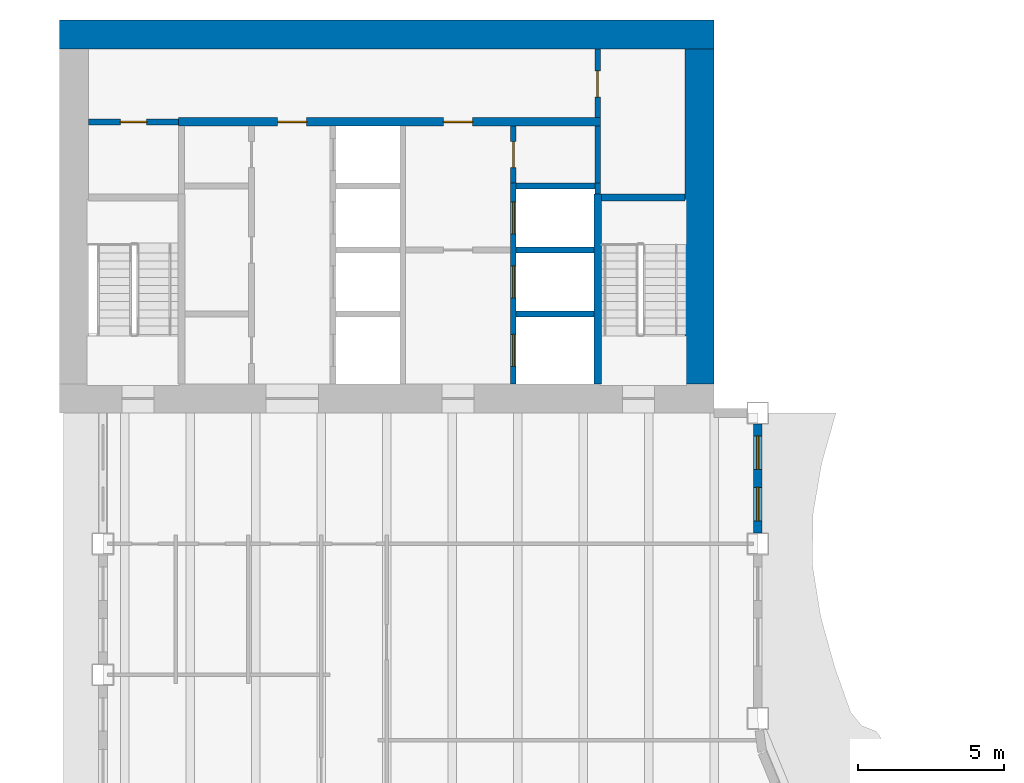
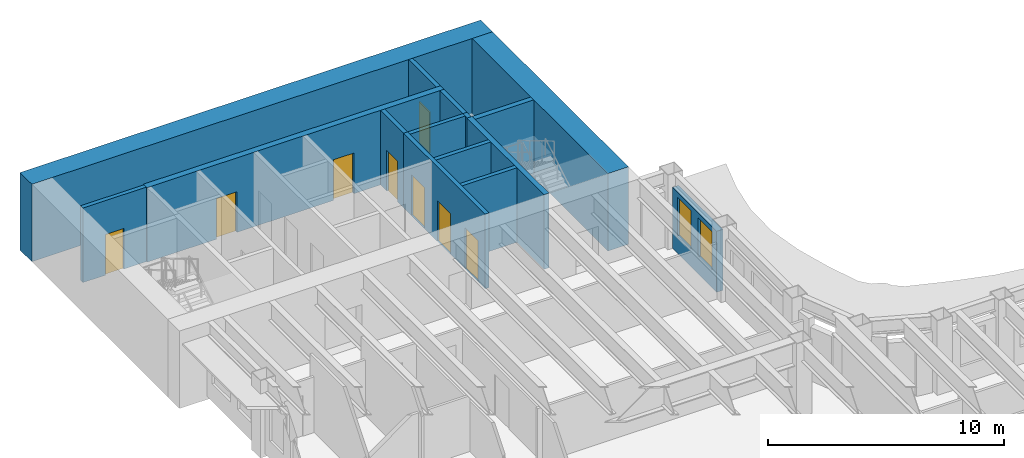
# One storey, part 10 of 17: 15 walls, 8 doors, 2 windows, 10 openings.
"""IFC4 building model written with IfcOpenShell, lengths in metres."""

from ifc_helpers import new_model, si_unit, direction, frame, frame_2d, origin, place, context, subcontext, project, spatial, rectangle, extrude, material, layer, layer_set, type_object, element, fill, save


model = new_model("IFC4")

# Units and contexts
model_context = context("Model", 3, precision=1e-05, world=origin(), true_north=direction((0.0, 1.0)))
body_context = subcontext(model_context, "Body", "Model", "MODEL_VIEW")
ifc_project = project(units=[si_unit("LENGTHUNIT", "METRE"), si_unit("AREAUNIT", "SQUARE_METRE"), si_unit("VOLUMEUNIT", "CUBIC_METRE"), si_unit("PLANEANGLEUNIT", "RADIAN"), si_unit("MASSUNIT", "GRAM", prefix="KILO")], contexts=[model_context])

# Site, building, storey
site_placement = place(None, origin())
site = spatial("IfcSite", under=ifc_project, at=site_placement, CompositionType="ELEMENT")
building_placement = place(site_placement, origin())
building = spatial("IfcBuilding", under=site, at=building_placement, Name="Sennacour Bend Tower", CompositionType="ELEMENT")
storey_placement = place(building_placement, frame((0.0, 0.0, 215.0)))
storey = spatial("IfcBuildingStorey", under=building, at=storey_placement, Name="L49", CompositionType="ELEMENT", Elevation=215.0)

# Walls
ifc_material_1 = material(Name="Concrete C60/75", Category="concrete")
ifc_layer_1 = layer(ifc_material_1, 1.0, Name="Concrete C60/75", Category="concrete")
ifc_layer_set_1 = layer_set([ifc_layer_1], Name="Concrete C60/75")
wall_type_1 = type_object("IfcWallType", Name="Core wall 1000 C60/75", PredefinedType="SHEAR", material=ifc_layer_set_1)
wall_1_placement = place(storey_placement, frame((0.0, 49.0, -0.14990234375), z_axis=(0.0, 0.0, 1.0), x_axis=(1.0, 0.0, 0.0)))
element("IfcWall", 1, at=wall_1_placement, inside=storey, type_object=wall_type_1, Name="Core B wall L49 N", PredefinedType="SHEAR", context=body_context, shape_type="SweptSolid", body=[
    extrude(rectangle(XDim=22.5, YDim=1.0, at=frame_2d((11.25, 0.0))), origin(), (0.0, 0.0, 1.0), 4.0),
])
wall_2_placement = place(storey_placement, frame((22.0, 37.0, -0.14990234375), z_axis=(0.0, 0.0, 1.0), x_axis=(0.0, 1.0, 0.0)))
element("IfcWall", 2, at=wall_2_placement, inside=storey, type_object=wall_type_1, Name="Core B wall L49 E", PredefinedType="SHEAR", context=body_context, shape_type="SweptSolid", body=[
    extrude(rectangle(XDim=11.5, YDim=1.0, at=frame_2d((5.75, 0.0))), origin(), (0.0, 0.0, 1.0), 4.0),
])

# Wall, opening, door
ifc_material_2 = material(Name="Fire-rated plasterboard partition on steel studs", Category="steel")
ifc_layer_2 = layer(ifc_material_2, 0.199951171875, Name="Fire-rated plasterboard partition on steel studs", Category="steel")
ifc_layer_set_2 = layer_set([ifc_layer_2], Name="Fire-rated plasterboard partition on steel studs")
wall_type_2 = type_object("IfcWallType", Name="Rated partition 200", PredefinedType="PARTITIONING", material=ifc_layer_set_2)
wall_3_placement = place(storey_placement, frame((15.60009765625, 43.89990234375, 0.0), z_axis=(0.0, 0.0, 1.0), x_axis=(0.0, 1.0, 0.0)))
wall_3 = element("IfcWall", 3, at=wall_3_placement, inside=storey, type_object=wall_type_2, Name="P-L49-W016", PredefinedType="PARTITIONING", context=body_context, shape_type="SweptSolid", body=[
    extrude(rectangle(XDim=1.9501953125, YDim=0.199951171875, at=frame_2d((0.97509765625, 0.0))), origin(), (0.0, 0.0, 1.0), 3.85009765625),
])
opening_1_placement = place(wall_3_placement, frame((0.525146484375, 0.0, 0.0)))
opening_1 = element("IfcOpeningElement", 4, at=opening_1_placement, cuts=wall_3, Name="Opening SV", PredefinedType="OPENING", context=body_context, shape_type="SweptSolid", body=[
    extrude(rectangle(XDim=0.89990234375, YDim=2.10009765625, at=frame_2d((0.449951171875, 1.050048828125))), frame((0.0, 0.10986328125, 0.0), z_axis=(0.0, -1.0, 0.0), x_axis=(1.0, 0.0, 0.0)), (0.0, 0.0, 1.0), 0.219970703125),
])
ifc_material_3 = material(Name="Painted steel", Category="steel")
door_type_1 = type_object("IfcDoorType", Name="DR-SERVICE-900", OperationType="NOTDEFINED", PredefinedType="DOOR", material=ifc_material_3)
door_1_placement = place(opening_1_placement, origin())
door_1 = element("IfcDoor", 5, at=door_1_placement, inside=storey, type_object=door_type_1, Name="Door", OperationType="SINGLE_SWING_RIGHT", OverallHeight=2.10009765625, OverallWidth=0.89990234375, PredefinedType="DOOR", context=body_context, shape_type="SweptSolid", body=[
    extrude(rectangle(XDim=0.89990234375, YDim=2.10009765625, at=frame_2d((0.449951171875, 1.050048828125))), frame((0.0, 0.02490234375, 0.0), z_axis=(0.0, -1.0, 0.0), x_axis=(1.0, 0.0, 0.0)), (0.0, 0.0, 1.0), 0.050048828125),
])
fill(opening_1, door_1)

# Wall
wall_4_placement = place(storey_placement, frame((18.5, 43.89990234375, 0.0), z_axis=(0.0, 0.0, 1.0), x_axis=(0.0, 1.0, 0.0)))
element("IfcWall", 6, at=wall_4_placement, inside=storey, type_object=wall_type_2, Name="P-L49-W020a", PredefinedType="PARTITIONING", context=body_context, shape_type="SweptSolid", body=[
    extrude(rectangle(XDim=1.9501953125, YDim=0.199951171875, at=frame_2d((0.97509765625, 0.0))), origin(), (0.0, 0.0, 1.0), 3.85009765625),
])

# Wall, opening, door
wall_5_placement = place(storey_placement, frame((18.5, 46.14990234375, 0.0), z_axis=(0.0, 0.0, 1.0), x_axis=(0.0, 1.0, 0.0)))
wall_5 = element("IfcWall", 7, at=wall_5_placement, inside=storey, type_object=wall_type_2, Name="P-L49-W020b", PredefinedType="PARTITIONING", context=body_context, shape_type="SweptSolid", body=[
    extrude(rectangle(XDim=2.35009765625, YDim=0.199951171875, at=frame_2d((1.175048828125, 0.0))), origin(), (0.0, 0.0, 1.0), 3.85009765625),
])
opening_2_placement = place(wall_5_placement, frame((0.7001953125, 0.0, 0.0)))
opening_2 = element("IfcOpeningElement", 8, at=opening_2_placement, cuts=wall_5, Name="Opening SV", PredefinedType="OPENING", context=body_context, shape_type="SweptSolid", body=[
    extrude(rectangle(XDim=0.89990234375, YDim=2.10009765625, at=frame_2d((0.449951171875, 1.050048828125))), frame((0.0, 0.10986328125, 0.0), z_axis=(0.0, -1.0, 0.0), x_axis=(1.0, 0.0, 0.0)), (0.0, 0.0, 1.0), 0.219970703125),
])
door_2_placement = place(opening_2_placement, origin())
door_2 = element("IfcDoor", 9, at=door_2_placement, inside=storey, type_object=door_type_1, Name="Door", OperationType="SINGLE_SWING_LEFT", OverallHeight=2.10009765625, OverallWidth=0.89990234375, PredefinedType="DOOR", context=body_context, shape_type="SweptSolid", body=[
    extrude(rectangle(XDim=0.89990234375, YDim=2.10009765625, at=frame_2d((0.449951171875, 1.050048828125))), frame((0.0, 0.02490234375, 0.0), z_axis=(0.0, -1.0, 0.0), x_axis=(1.0, 0.0, 0.0)), (0.0, 0.0, 1.0), 0.050048828125),
])
fill(opening_2, door_2)

wall_6_placement = place(storey_placement, frame((1.0, 46.0, 0.0), z_axis=(0.0, 0.0, 1.0), x_axis=(1.0, 0.0, 0.0)))
wall_6 = element("IfcWall", 10, at=wall_6_placement, inside=storey, type_object=wall_type_2, Name="P-L49-W090", PredefinedType="PARTITIONING", context=body_context, shape_type="SweptSolid", body=[
    extrude(rectangle(XDim=3.10009765625, YDim=0.199951171875, at=frame_2d((1.550048828125, 0.0))), origin(), (0.0, 0.0, 1.0), 3.85009765625),
])
opening_3_placement = place(wall_6_placement, frame((1.10009765625, 0.0, 0.0)))
opening_3 = element("IfcOpeningElement", 11, at=opening_3_placement, cuts=wall_6, Name="Opening SV", PredefinedType="OPENING", context=body_context, shape_type="SweptSolid", body=[
    extrude(rectangle(XDim=0.89990234375, YDim=2.10009765625, at=frame_2d((0.449951171875, 1.050048828125))), frame((0.0, 0.10986328125, 0.0), z_axis=(0.0, -1.0, 0.0), x_axis=(1.0, 0.0, 0.0)), (0.0, 0.0, 1.0), 0.219970703125),
])
door_3_placement = place(opening_3_placement, origin())
door_3 = element("IfcDoor", 12, at=door_3_placement, inside=storey, type_object=door_type_1, Name="Door", OperationType="SINGLE_SWING_LEFT", OverallHeight=2.10009765625, OverallWidth=0.89990234375, PredefinedType="DOOR", context=body_context, shape_type="SweptSolid", body=[
    extrude(rectangle(XDim=0.89990234375, YDim=2.10009765625, at=frame_2d((0.449951171875, 1.050048828125))), frame((0.0, 0.02490234375, 0.0), z_axis=(0.0, -1.0, 0.0), x_axis=(1.0, 0.0, 0.0)), (0.0, 0.0, 1.0), 0.050048828125),
])
fill(opening_3, door_3)

# Wall, openings, windows
ifc_material_4 = material(Name="Warm limestone cladding", Category="masonry")
ifc_layer_3 = layer(ifc_material_4, 0.050048828125, Name="Warm limestone cladding", Category="masonry")
ifc_material_5 = material(Name="Precast concrete C40/50", Category="concrete")
ifc_layer_4 = layer(ifc_material_5, 0.25, Name="Precast concrete C40/50", Category="concrete")
ifc_layer_set_3 = layer_set([ifc_layer_3, ifc_layer_4], Name="Precast concrete C40/50 with limestone cladding")
wall_type_3 = type_object("IfcWallType", Name="STONE-CLAD PRECAST SPANDREL 300", PredefinedType="STANDARD", material=ifc_layer_set_3)
wall_7_placement = place(storey_placement, frame((24.0, 31.875, 0.0), z_axis=(0.0, 0.0, 1.0), x_axis=(0.0, 1.0, 0.0)))
wall_7 = element("IfcWall", 13, at=wall_7_placement, inside=storey, type_object=wall_type_3, Name="Stone spandrel and pier wall L49 13.01", PredefinedType="STANDARD", context=body_context, shape_type="SweptSolid", body=[
    extrude(rectangle(XDim=3.75, YDim=0.300048828125, at=frame_2d((1.875, 0.0))), origin(), (0.0, 0.0, 1.0), 3.156982421875),
])
opening_4_placement = place(wall_7_placement, frame((0.41259765625, 0.0, 0.89990234375)))
opening_4 = element("IfcOpeningElement", 14, at=opening_4_placement, cuts=wall_7, Name="Opening W24", PredefinedType="OPENING", context=body_context, shape_type="SweptSolid", body=[
    extrude(rectangle(XDim=1.14990234375, YDim=2.0, at=frame_2d((0.574951171875, 1.0))), frame((0.0, 0.16015625, 0.0), z_axis=(0.0, -1.0, 0.0), x_axis=(1.0, 0.0, 0.0)), (0.0, 0.0, 1.0), 0.320068359375),
])
opening_5_placement = place(wall_7_placement, frame((2.1875, 0.0, 0.89990234375)))
opening_5 = element("IfcOpeningElement", 15, at=opening_5_placement, cuts=wall_7, Name="Opening W24", PredefinedType="OPENING", context=body_context, shape_type="SweptSolid", body=[
    extrude(rectangle(XDim=1.14990234375, YDim=2.0, at=frame_2d((0.574951171875, 1.0))), frame((0.0, 0.16015625, 0.0), z_axis=(0.0, -1.0, 0.0), x_axis=(1.0, 0.0, 0.0)), (0.0, 0.0, 1.0), 0.320068359375),
])
ifc_material_6 = material(Name="Clear low-emissivity glass", Category="glass")
window_type = type_object("IfcWindowType", Name="WIN-RIBBON-1150x2000", PartitioningType="SINGLE_PANEL", PredefinedType="WINDOW", material=ifc_material_6)
window_1_placement = place(opening_4_placement, origin())
window_1 = element("IfcWindow", 16, at=window_1_placement, inside=storey, type_object=window_type, Name="Ribbon window L49 13.01.0", OverallHeight=2.0, OverallWidth=1.14990234375, PartitioningType="SINGLE_PANEL", PredefinedType="WINDOW", context=body_context, shape_type="SweptSolid", body=[
    extrude(rectangle(XDim=1.14990234375, YDim=2.0, at=frame_2d((0.574951171875, 1.0))), frame((0.0, 0.030029296875, 0.0), z_axis=(0.0, -1.0, 0.0), x_axis=(1.0, 0.0, 0.0)), (0.0, 0.0, 1.0), 0.06005859375),
])
fill(opening_4, window_1)
window_2_placement = place(opening_5_placement, origin())
window_2 = element("IfcWindow", 17, at=window_2_placement, inside=storey, type_object=window_type, Name="Ribbon window L49 13.01.1", OverallHeight=2.0, OverallWidth=1.14990234375, PartitioningType="SINGLE_PANEL", PredefinedType="WINDOW", context=body_context, shape_type="SweptSolid", body=[
    extrude(rectangle(XDim=1.14990234375, YDim=2.0, at=frame_2d((0.574951171875, 1.0))), frame((0.0, 0.030029296875, 0.0), z_axis=(0.0, -1.0, 0.0), x_axis=(1.0, 0.0, 0.0)), (0.0, 0.0, 1.0), 0.06005859375),
])
fill(opening_5, window_2)

# Wall, openings, doors
ifc_material_7 = material(Name="Concrete C50/60", Category="concrete")
ifc_layer_5 = layer(ifc_material_7, 0.199951171875, Name="Concrete C50/60", Category="concrete")
ifc_layer_set_4 = layer_set([ifc_layer_5], Name="Concrete C50/60")
wall_type_4 = type_object("IfcWallType", Name="Shaft wall 200", PredefinedType="SOLIDWALL", material=ifc_layer_set_4)
wall_8_placement = place(storey_placement, frame((15.60009765625, 37.0, 0.0), z_axis=(0.0, 0.0, 1.0), x_axis=(0.0, 1.0, 0.0)))
wall_8 = element("IfcWall", 18, at=wall_8_placement, inside=storey, type_object=wall_type_4, Name="P-L49-W015", PredefinedType="SOLIDWALL", context=body_context, shape_type="SweptSolid", body=[
    extrude(rectangle(XDim=6.89990234375, YDim=0.199951171875, at=frame_2d((3.449951171875, 0.0))), origin(), (0.0, 0.0, 1.0), 3.85009765625),
])
opening_6_placement = place(wall_8_placement, frame((0.60009765625, 0.0, 0.011962890625)))
opening_6 = element("IfcOpeningElement", 19, at=opening_6_placement, cuts=wall_8, Name="Opening FLD", PredefinedType="OPENING", context=body_context, shape_type="SweptSolid", body=[
    extrude(rectangle(XDim=1.10009765625, YDim=2.10009765625, at=frame_2d((0.550048828125, 1.050048828125))), frame((0.0, 0.10986328125, 0.0), z_axis=(0.0, -1.0, 0.0), x_axis=(1.0, 0.0, 0.0)), (0.0, 0.0, 1.0), 0.219970703125),
])
opening_7_placement = place(wall_8_placement, frame((2.949951171875, 0.0, 0.011962890625)))
opening_7 = element("IfcOpeningElement", 20, at=opening_7_placement, cuts=wall_8, Name="Opening FLD", PredefinedType="OPENING", context=body_context, shape_type="SweptSolid", body=[
    extrude(rectangle(XDim=1.10009765625, YDim=2.10009765625, at=frame_2d((0.550048828125, 1.050048828125))), frame((0.0, 0.10986328125, 0.0), z_axis=(0.0, -1.0, 0.0), x_axis=(1.0, 0.0, 0.0)), (0.0, 0.0, 1.0), 0.219970703125),
])
opening_8_placement = place(wall_8_placement, frame((5.14990234375, 0.0, 0.011962890625)))
opening_8 = element("IfcOpeningElement", 21, at=opening_8_placement, cuts=wall_8, Name="Opening LD", PredefinedType="OPENING", context=body_context, shape_type="SweptSolid", body=[
    extrude(rectangle(XDim=1.10009765625, YDim=2.10009765625, at=frame_2d((0.550048828125, 1.050048828125))), frame((0.0, 0.10986328125, 0.0), z_axis=(0.0, -1.0, 0.0), x_axis=(1.0, 0.0, 0.0)), (0.0, 0.0, 1.0), 0.219970703125),
])
ifc_material_8 = material(Name="Stainless steel", Category="steel")
door_type_2 = type_object("IfcDoorType", Name="DR-FF-LANDING-1100", OperationType="NOTDEFINED", PredefinedType="DOOR", material=ifc_material_8)
door_4_placement = place(opening_6_placement, origin())
door_4 = element("IfcDoor", 22, at=door_4_placement, inside=storey, type_object=door_type_2, Name="Fire service lift landing door FB1", OperationType="SLIDING_TO_LEFT", OverallHeight=2.10009765625, OverallWidth=1.10009765625, PredefinedType="DOOR", context=body_context, shape_type="SweptSolid", body=[
    extrude(rectangle(XDim=1.10009765625, YDim=2.10009765625, at=frame_2d((0.550048828125, 1.050048828125))), frame((0.0, 0.02490234375, 0.0), z_axis=(0.0, -1.0, 0.0), x_axis=(1.0, 0.0, 0.0)), (0.0, 0.0, 1.0), 0.050048828125),
])
fill(opening_6, door_4)
door_5_placement = place(opening_7_placement, origin())
door_5 = element("IfcDoor", 23, at=door_5_placement, inside=storey, type_object=door_type_2, Name="Fire service lift landing door FB2", OperationType="SLIDING_TO_RIGHT", OverallHeight=2.10009765625, OverallWidth=1.10009765625, PredefinedType="DOOR", context=body_context, shape_type="SweptSolid", body=[
    extrude(rectangle(XDim=1.10009765625, YDim=2.10009765625, at=frame_2d((0.550048828125, 1.050048828125))), frame((0.0, 0.02490234375, 0.0), z_axis=(0.0, -1.0, 0.0), x_axis=(1.0, 0.0, 0.0)), (0.0, 0.0, 1.0), 0.050048828125),
])
fill(opening_7, door_5)
door_type_3 = type_object("IfcDoorType", Name="DR-LANDING-1100", OperationType="NOTDEFINED", PredefinedType="DOOR", material=ifc_material_8)
door_6_placement = place(opening_8_placement, origin())
door_6 = element("IfcDoor", 24, at=door_6_placement, inside=storey, type_object=door_type_3, Name="Lift landing door MB5", OperationType="SLIDING_TO_LEFT", OverallHeight=2.10009765625, OverallWidth=1.10009765625, PredefinedType="DOOR", context=body_context, shape_type="SweptSolid", body=[
    extrude(rectangle(XDim=1.10009765625, YDim=2.10009765625, at=frame_2d((0.550048828125, 1.050048828125))), frame((0.0, 0.02490234375, 0.0), z_axis=(0.0, -1.0, 0.0), x_axis=(1.0, 0.0, 0.0)), (0.0, 0.0, 1.0), 0.050048828125),
])
fill(opening_8, door_6)

# Walls
wall_9_placement = place(storey_placement, frame((18.5, 43.52490234375, 0.0), z_axis=(0.0, 0.0, 1.0), x_axis=(0.0, 1.0, 0.0)))
element("IfcWall", 25, at=wall_9_placement, inside=storey, type_object=wall_type_4, Name="P-L49-W019", PredefinedType="SOLIDWALL", context=body_context, shape_type="SweptSolid", body=[
    extrude(rectangle(XDim=0.375, YDim=0.199951171875, at=frame_2d((0.1875, 0.0))), origin(), (0.0, 0.0, 1.0), 3.85009765625),
])
for number, where, z_axis, x_axis, name in (
    (26, (15.699951171875, 39.39990234375, 0.0), (0.0, 0.0, 1.0), (1.0, 0.0, 0.0), "P-L49-W081"),
    (27, (15.699951171875, 41.60009765625, 0.0), (0.0, 0.0, 1.0), (1.0, 0.0, 0.0), "P-L49-W084"),
):
    element("IfcWall", number, at=place(storey_placement, frame(where, z_axis=z_axis, x_axis=x_axis)), inside=storey, type_object=wall_type_4, Name=name, PredefinedType="SOLIDWALL", context=body_context, shape_type="SweptSolid", body=[
        extrude(rectangle(XDim=2.675048828125, YDim=0.199951171875, at=frame_2d((1.33740234375, 0.0))), origin(), (0.0, 0.0, 1.0), 3.85009765625),
    ])
wall_10_placement = place(storey_placement, frame((15.699951171875, 43.800048828125, 0.0), z_axis=(0.0, 0.0, 1.0), x_axis=(1.0, 0.0, 0.0)))
element("IfcWall", 28, at=wall_10_placement, inside=storey, type_object=wall_type_4, Name="P-L49-W089", PredefinedType="SOLIDWALL", context=body_context, shape_type="SweptSolid", body=[
    extrude(rectangle(XDim=2.699951171875, YDim=0.199951171875, at=frame_2d((1.35009765625, 0.0))), origin(), (0.0, 0.0, 1.0), 3.85009765625),
])

# Wall, openings, doors
ifc_layer_6 = layer(ifc_material_1, 0.300048828125, Name="Concrete C60/75", Category="concrete")
ifc_layer_set_5 = layer_set([ifc_layer_6], Name="Concrete C60/75")
wall_type_5 = type_object("IfcWallType", Name="Spine wall 300", PredefinedType="SHEAR", material=ifc_layer_set_5)
wall_11_placement = place(storey_placement, frame((4.10009765625, 46.0, 0.0), z_axis=(0.0, 0.0, 1.0), x_axis=(1.0, 0.0, 0.0)))
wall_11 = element("IfcWall", 29, at=wall_11_placement, inside=storey, type_object=wall_type_5, Name="P-L49-W091", PredefinedType="SHEAR", context=body_context, shape_type="SweptSolid", body=[
    extrude(rectangle(XDim=14.5, YDim=0.300048828125, at=frame_2d((7.25, 0.0))), origin(), (0.0, 0.0, 1.0), 3.85009765625),
])
opening_9_placement = place(wall_11_placement, frame((3.39990234375, 0.0, 0.0)))
opening_9 = element("IfcOpeningElement", 30, at=opening_9_placement, cuts=wall_11, Name="Opening CD2", PredefinedType="OPENING", context=body_context, shape_type="SweptSolid", body=[
    extrude(rectangle(XDim=1.0, YDim=2.10009765625, at=frame_2d((0.5, 1.050048828125))), frame((0.0, 0.16015625, 0.0), z_axis=(0.0, -1.0, 0.0), x_axis=(1.0, 0.0, 0.0)), (0.0, 0.0, 1.0), 0.320068359375),
])
opening_10_placement = place(wall_11_placement, frame((9.099853515625, 0.0, 0.0)))
opening_10 = element("IfcOpeningElement", 31, at=opening_10_placement, cuts=wall_11, Name="Opening CD2", PredefinedType="OPENING", context=body_context, shape_type="SweptSolid", body=[
    extrude(rectangle(XDim=1.0, YDim=2.10009765625, at=frame_2d((0.5, 1.050048828125))), frame((0.0, 0.16015625, 0.0), z_axis=(0.0, -1.0, 0.0), x_axis=(1.0, 0.0, 0.0)), (0.0, 0.0, 1.0), 0.320068359375),
])
door_type_4 = type_object("IfcDoorType", Name="DR-LOBBY-1000", OperationType="NOTDEFINED", PredefinedType="DOOR", material=ifc_material_3)
door_7_placement = place(opening_9_placement, origin())
door_7 = element("IfcDoor", 32, at=door_7_placement, inside=storey, type_object=door_type_4, Name="Door", OperationType="SINGLE_SWING_LEFT", OverallHeight=2.10009765625, OverallWidth=1.0, PredefinedType="DOOR", context=body_context, shape_type="SweptSolid", body=[
    extrude(rectangle(XDim=1.0, YDim=2.10009765625, at=frame_2d((0.5, 1.050048828125))), frame((0.0, 0.02490234375, 0.0), z_axis=(0.0, -1.0, 0.0), x_axis=(1.0, 0.0, 0.0)), (0.0, 0.0, 1.0), 0.050048828125),
])
fill(opening_9, door_7)
door_8_placement = place(opening_10_placement, origin())
door_8 = element("IfcDoor", 33, at=door_8_placement, inside=storey, type_object=door_type_4, Name="Door", OperationType="SINGLE_SWING_RIGHT", OverallHeight=2.10009765625, OverallWidth=1.0, PredefinedType="DOOR", context=body_context, shape_type="SweptSolid", body=[
    extrude(rectangle(XDim=1.0, YDim=2.10009765625, at=frame_2d((0.5, 1.050048828125))), frame((0.0, 0.02490234375, 0.0), z_axis=(0.0, -1.0, 0.0), x_axis=(1.0, 0.0, 0.0)), (0.0, 0.0, 1.0), 0.050048828125),
])
fill(opening_10, door_8)

# Walls
ifc_layer_7 = layer(ifc_material_1, 0.25, Name="Concrete C60/75", Category="concrete")
ifc_layer_set_6 = layer_set([ifc_layer_7], Name="Concrete C60/75")
wall_type_6 = type_object("IfcWallType", Name="Stair wall 250", PredefinedType="SHEAR", material=ifc_layer_set_6)
wall_12_placement = place(storey_placement, frame((18.5, 37.0, 0.0), z_axis=(0.0, 0.0, 1.0), x_axis=(0.0, 1.0, 0.0)))
element("IfcWall", 34, at=wall_12_placement, inside=storey, type_object=wall_type_6, Name="P-L49-W018", PredefinedType="SHEAR", context=body_context, shape_type="SweptSolid", body=[
    extrude(rectangle(XDim=6.52490234375, YDim=0.25, at=frame_2d((3.262451171875, 0.0))), origin(), (0.0, 0.0, 1.0), 3.85009765625),
])
wall_13_placement = place(storey_placement, frame((18.625, 43.39990234375, 0.0), z_axis=(0.0, 0.0, 1.0), x_axis=(1.0, 0.0, 0.0)))
element("IfcWall", 35, at=wall_13_placement, inside=storey, type_object=wall_type_6, Name="P-L49-W086", PredefinedType="SHEAR", context=body_context, shape_type="SweptSolid", body=[
    extrude(rectangle(XDim=2.875, YDim=0.25, at=frame_2d((1.4375, 0.0))), origin(), (0.0, 0.0, 1.0), 3.85009765625),
])

save(model, "model.ifc")
